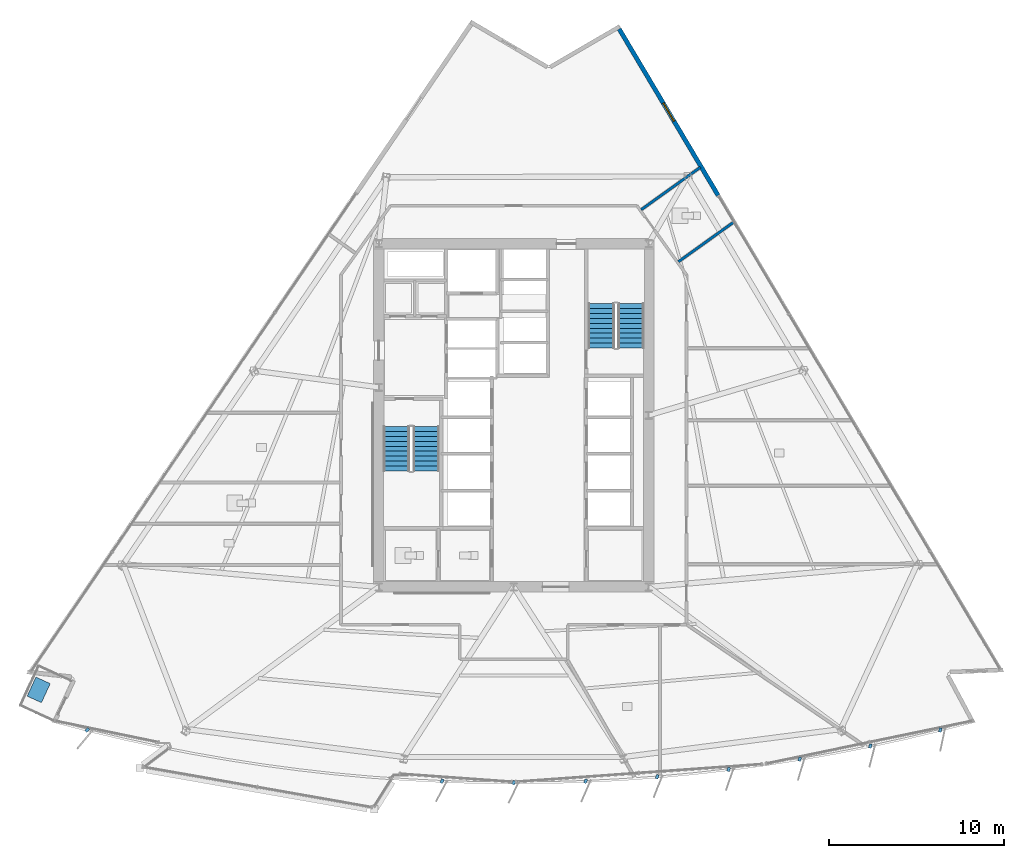
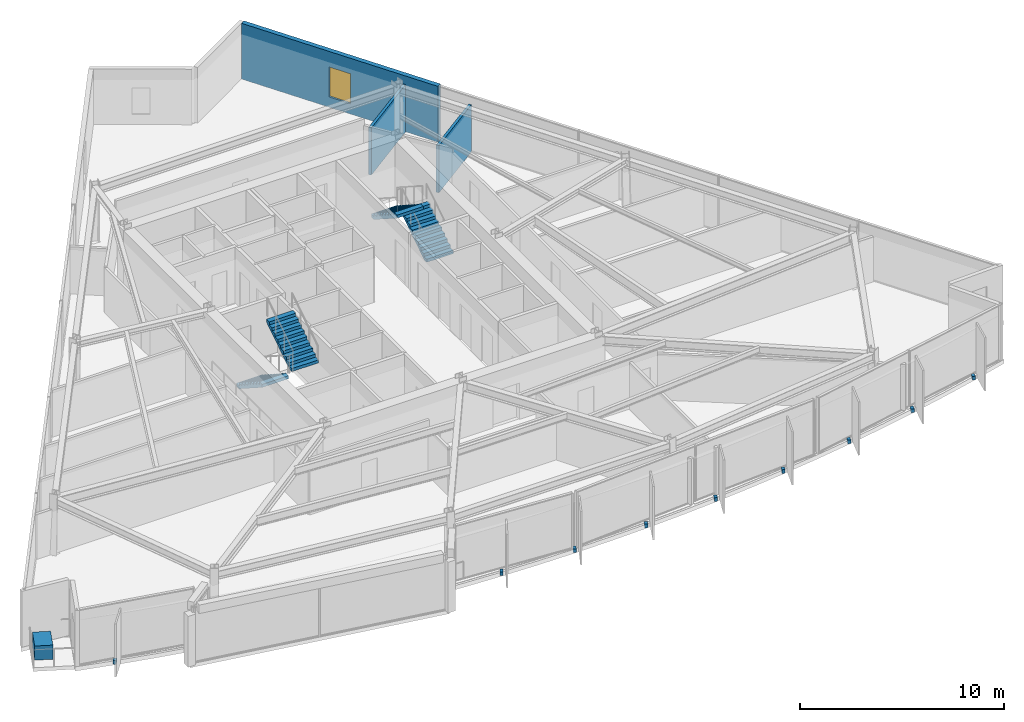
# One storey, part 10 of 15: 10 discrete accessories, 4 stair flights, 3 walls, 1 window, 1 opening, 2 elements without a shape of their own.
"""IFC4 building model written with IfcOpenShell, lengths in metres."""

from ifc_helpers import new_model, si_unit, direction, frame, frame_2d, origin, origin_2d, place, context, subcontext, project, spatial, polyline, rectangle, outline, extrude, material, layer, layer_set, type_object, element, fill, aggregate, save


model = new_model("IFC4")

# Units and contexts
model_context = context("Model", 3, precision=1e-05, world=origin(), true_north=direction((0.0, 1.0)))
body_context = subcontext(model_context, "Body", "Model", "MODEL_VIEW")
ifc_project = project(units=[si_unit("LENGTHUNIT", "METRE"), si_unit("AREAUNIT", "SQUARE_METRE"), si_unit("VOLUMEUNIT", "CUBIC_METRE"), si_unit("PLANEANGLEUNIT", "RADIAN"), si_unit("MASSUNIT", "GRAM", prefix="KILO")], contexts=[model_context])

# Site, building, storey
site_placement = place(None, origin())
site = spatial("IfcSite", under=ifc_project, at=site_placement, CompositionType="ELEMENT")
building_placement = place(site_placement, origin())
building = spatial("IfcBuilding", under=site, at=building_placement, Name="Savorim Split Tower", CompositionType="ELEMENT")
storey_placement = place(building_placement, frame((0.0, 0.0, 107.699951171875)))
storey = spatial("IfcBuildingStorey", under=building, at=storey_placement, Name="L28", CompositionType="ELEMENT", Elevation=107.699951171875)

# Wall, opening, window
ifc_material_1 = material(Name="Precast concrete C40/50", Category="concrete")
ifc_layer_1 = layer(ifc_material_1, 0.25)
ifc_layer_set_1 = layer_set([ifc_layer_1], Name="WAL-EXT-SPN250")
wall_type_1 = type_object("IfcWallType", Name="WAL-EXT-SPN250", PredefinedType="SOLIDWALL", material=ifc_layer_set_1)
wall_1_placement = place(storey_placement, frame((6.01708984375, 22.46240234375, 0.0), z_axis=(0.0, 0.0, 1.0), x_axis=(0.511085523564, -0.859529864288, 0.0)))
wall_1 = element("IfcWall", 1, at=wall_1_placement, inside=storey, type_object=wall_type_1, Name="L28 East Operable Window Pier", PredefinedType="SOLIDWALL", context=body_context, shape_type="SweptSolid", body=[
    extrude(rectangle(XDim=11.067626953125, YDim=0.25, at=frame_2d((5.53369140625, 0.0))), origin(), (0.0, 0.0, 1.0), 3.35009765625),
])
opening_placement = place(wall_1_placement, frame((4.933837890625, 0.0, 0.6201171875)))
opening = element("IfcOpeningElement", 2, at=opening_placement, cuts=wall_1, Name="Opening WN-08", PredefinedType="OPENING", context=body_context, shape_type="SweptSolid", body=[
    extrude(rectangle(XDim=1.199951171875, YDim=1.800048828125, at=frame_2d((0.60009765625, 0.89990234375))), frame((0.0, 0.135009765625, 0.0), z_axis=(0.0, -1.0, 0.0), x_axis=(1.0, 0.0, 0.0)), (0.0, 0.0, 1.0), 0.27001953125),
])
ifc_material_2 = material(Name="Low-E Operable Double Glazing", Category="glass")
window_type = type_object("IfcWindowType", Name="WIN-TWR-1200x1800", PartitioningType="SINGLE_PANEL", PredefinedType="WINDOW", material=ifc_material_2)
window_placement = place(opening_placement, origin())
window = element("IfcWindow", 3, at=window_placement, inside=storey, type_object=window_type, Name="L28 East Operable Ventilation Window", OverallHeight=1.800048828125, OverallWidth=1.199951171875, PartitioningType="SINGLE_PANEL", PredefinedType="WINDOW", context=body_context, shape_type="SweptSolid", body=[
    extrude(rectangle(XDim=1.199951171875, YDim=1.800048828125, at=frame_2d((0.60009765625, 0.89990234375))), frame((0.0, 0.030029296875, 0.0), z_axis=(0.0, -1.0, 0.0), x_axis=(1.0, 0.0, 0.0)), (0.0, 0.0, 1.0), 0.06005859375),
])
fill(opening, window)

# Walls
ifc_material_3 = material(Name="Acoustic Gypsum Partition Board")
ifc_layer_2 = layer(ifc_material_3, 0.14990234375)
ifc_layer_set_2 = layer_set([ifc_layer_2], Name="WAL-PAR-150")
wall_type_2 = type_object("IfcWallType", Name="WAL-PAR-150", PredefinedType="PARTITIONING", material=ifc_layer_set_2)
wall_2_placement = place(storey_placement, frame((7.27392578125, 12.137939453125, 0.0), z_axis=(0.0, 0.0, 1.0), x_axis=(0.81287638154, 0.582436252593, 0.0)))
element("IfcWall", 4, at=wall_2_placement, inside=storey, type_object=wall_type_2, Name="L28 Partition W-L28-PRAD07", PredefinedType="PARTITIONING", context=body_context, shape_type="SweptSolid", body=[
    extrude(rectangle(XDim=4.16162109375, YDim=0.14990234375, at=frame_2d((2.080810546875, 0.0))), origin(), (0.0, 0.0, 1.0), 2.8349609375),
])
wall_3_placement = place(storey_placement, frame((9.40087890625, 9.169189453125, 0.0), z_axis=(0.0, 0.0, 1.0), x_axis=(0.812892695259, 0.582413483699, 0.0)))
element("IfcWall", 5, at=wall_3_placement, inside=storey, type_object=wall_type_2, Name="L28 Partition W-L28-SUB08", PredefinedType="PARTITIONING", context=body_context, shape_type="SweptSolid", body=[
    extrude(rectangle(XDim=3.849365234375, YDim=0.14990234375, at=frame_2d((1.9248046875, 0.0))), origin(), (0.0, 0.0, 1.0), 2.8349609375),
])

# Stair, stair flights
ifc_material_4 = material(Name="Concrete C50/60", Category="concrete")
stair_type = type_object("IfcStairType", Name="STR-DOG-3600", PredefinedType="HALF_TURN_STAIR", material=ifc_material_4)
stair_1_placement = place(storey_placement, origin())
stair_1 = element("IfcStair", 6, at=stair_1_placement, inside=storey, type_object=stair_type, Name="L28 Core Protected Exit Stair ST-1", PredefinedType="HALF_TURN_STAIR")
stair_flight_type = type_object("IfcStairFlightType", Name="SFL-DOG-3600", PredefinedType="STRAIGHT", material=ifc_material_4)
stair_flight_1_placement = place(storey_placement, frame((-6.699951171875, -0.25, 0.0), z_axis=(0.0, 0.0, 1.0), x_axis=(0.0, -1.0, 0.0)))
stair_flight_1 = element("IfcStairFlight", 7, at=stair_flight_1_placement, type_object=stair_flight_type, Name="ST-1 flight 1", NumberOfRisers=10, NumberOfTreads=9, PredefinedType="STRAIGHT", RiserHeight=0.18, TreadLength=0.28, context=body_context, shape_type="SweptSolid", body=[
    extrude(outline(polyline([(0.0, 0.0), (0.0, 0.179931640625), (0.280029296875, 0.179931640625), (0.280029296875, 0.360107421875), (0.56005859375, 0.360107421875), (0.56005859375, 0.5400390625), (0.840087890625, 0.5400390625), (0.840087890625, 0.719970703125), (1.1201171875, 0.719970703125), (1.1201171875, 0.89990234375), (1.39990234375, 0.89990234375), (1.39990234375, 1.080078125), (1.679931640625, 1.080078125), (1.679931640625, 1.260009765625), (1.9599609375, 1.260009765625), (1.9599609375, 1.43994140625), (2.239990234375, 1.43994140625), (2.239990234375, 1.6201171875), (2.52001953125, 1.6201171875), (2.52001953125, 1.800048828125), (2.52001953125, 1.44189453125), (0.277099609375, 0.0), (0.0, 0.0)])), frame((0.0, 0.75, 0.0), z_axis=(0.0, -1.0, 0.0), x_axis=(1.0, 0.0, 0.0)), (0.0, 0.0, 1.0), 1.5),
])
stair_flight_2_placement = place(storey_placement, frame((-5.0, -2.77001953125, 1.800048828125), z_axis=(0.0, 0.0, 1.0), x_axis=(0.0, 1.0, 0.0)))
stair_flight_2 = element("IfcStairFlight", 8, at=stair_flight_2_placement, type_object=stair_flight_type, Name="ST-1 flight 2", NumberOfRisers=10, NumberOfTreads=9, PredefinedType="STRAIGHT", RiserHeight=0.18, TreadLength=0.28, context=body_context, shape_type="SweptSolid", body=[
    extrude(outline(polyline([(0.0, 0.0), (0.0, 0.179931640625), (0.280029296875, 0.179931640625), (0.280029296875, 0.360107421875), (0.56005859375, 0.360107421875), (0.56005859375, 0.5400390625), (0.840087890625, 0.5400390625), (0.840087890625, 0.719970703125), (1.1201171875, 0.719970703125), (1.1201171875, 0.89990234375), (1.39990234375, 0.89990234375), (1.39990234375, 1.080078125), (1.679931640625, 1.080078125), (1.679931640625, 1.260009765625), (1.9599609375, 1.260009765625), (1.9599609375, 1.43994140625), (2.239990234375, 1.43994140625), (2.239990234375, 1.6201171875), (2.52001953125, 1.6201171875), (2.52001953125, 1.800048828125), (2.52001953125, 1.44189453125), (0.277099609375, 0.0), (0.0, 0.0)])), frame((0.0, 0.75, 0.0), z_axis=(0.0, -1.0, 0.0), x_axis=(1.0, 0.0, 0.0)), (0.0, 0.0, 1.0), 1.5),
])
aggregate(stair_1, [stair_flight_1, stair_flight_2])

stair_2_placement = place(storey_placement, origin())
stair_2 = element("IfcStair", 9, at=stair_2_placement, inside=storey, type_object=stair_type, Name="L28 Core Protected Exit Stair ST-2", PredefinedType="HALF_TURN_STAIR")
stair_flight_3_placement = place(storey_placement, frame((6.699951171875, 4.25, 0.0), z_axis=(0.0, 0.0, 1.0), x_axis=(0.0, 1.0, 0.0)))
stair_flight_3 = element("IfcStairFlight", 10, at=stair_flight_3_placement, type_object=stair_flight_type, Name="ST-2 flight 1", NumberOfRisers=10, NumberOfTreads=9, PredefinedType="STRAIGHT", RiserHeight=0.18, TreadLength=0.28, context=body_context, shape_type="SweptSolid", body=[
    extrude(outline(polyline([(0.0, 0.0), (0.0, 0.179931640625), (0.280029296875, 0.179931640625), (0.280029296875, 0.360107421875), (0.56005859375, 0.360107421875), (0.56005859375, 0.5400390625), (0.840087890625, 0.5400390625), (0.840087890625, 0.719970703125), (1.1201171875, 0.719970703125), (1.1201171875, 0.89990234375), (1.39990234375, 0.89990234375), (1.39990234375, 1.080078125), (1.679931640625, 1.080078125), (1.679931640625, 1.260009765625), (1.9599609375, 1.260009765625), (1.9599609375, 1.43994140625), (2.239990234375, 1.43994140625), (2.239990234375, 1.6201171875), (2.52001953125, 1.6201171875), (2.52001953125, 1.800048828125), (2.52001953125, 1.44189453125), (0.277099609375, 0.0), (0.0, 0.0)])), frame((0.0, 0.75, 0.0), z_axis=(0.0, -1.0, 0.0), x_axis=(1.0, 0.0, 0.0)), (0.0, 0.0, 1.0), 1.5),
])
stair_flight_4_placement = place(storey_placement, frame((5.0, 6.77001953125, 1.800048828125), z_axis=(0.0, 0.0, 1.0), x_axis=(0.0, -1.0, 0.0)))
stair_flight_4 = element("IfcStairFlight", 11, at=stair_flight_4_placement, type_object=stair_flight_type, Name="ST-2 flight 2", NumberOfRisers=10, NumberOfTreads=9, PredefinedType="STRAIGHT", RiserHeight=0.18, TreadLength=0.28, context=body_context, shape_type="SweptSolid", body=[
    extrude(outline(polyline([(0.0, 0.0), (0.0, 0.179931640625), (0.280029296875, 0.179931640625), (0.280029296875, 0.360107421875), (0.56005859375, 0.360107421875), (0.56005859375, 0.5400390625), (0.840087890625, 0.5400390625), (0.840087890625, 0.719970703125), (1.1201171875, 0.719970703125), (1.1201171875, 0.89990234375), (1.39990234375, 0.89990234375), (1.39990234375, 1.080078125), (1.679931640625, 1.080078125), (1.679931640625, 1.260009765625), (1.9599609375, 1.260009765625), (1.9599609375, 1.43994140625), (2.239990234375, 1.43994140625), (2.239990234375, 1.6201171875), (2.52001953125, 1.6201171875), (2.52001953125, 1.800048828125), (2.52001953125, 1.44189453125), (0.277099609375, 0.0), (0.0, 0.0)])), frame((0.0, 0.75, 0.0), z_axis=(0.0, -1.0, 0.0), x_axis=(1.0, 0.0, 0.0)), (0.0, 0.0, 1.0), 1.5),
])
aggregate(stair_2, [stair_flight_3, stair_flight_4])

# Discrete accessories
ifc_material_5 = material(Name="Steel S355", Category="steel")
discrete_accessory_type_1 = type_object("IfcDiscreteAccessoryType", Name="ACC-BRK-FIN", PredefinedType="BRACKET", material=ifc_material_5)
for number, where, z_axis, x_axis, name in (
    (12, (-24.35107421875, -17.566162109375, -0.18994140625), (0.0, 0.0, 1.0), (-0.643719022682, -0.765261928909, 0.0), "L28 Fin Slab-Edge Cleat Bracket 01"),
    (13, (-4.098388671875, -20.4873046875, -0.18994140625), (0.0, 0.0, 1.0), (-0.474778051978, -0.880105562623, 0.0), "L28 Fin Slab-Edge Cleat Bracket 06"),
    (14, (0.0, -20.5712890625, -0.18994140625), (0.0, 0.0, 1.0), (-0.438371146789, -0.898794046299, 0.0), "L28 Fin Slab-Edge Cleat Bracket 07"),
    (15, (4.098388671875, -20.4873046875, -0.18994140625), (0.0, 0.0, 1.0), (-0.401230091723, -0.915977299662, 0.0), "L28 Fin Slab-Edge Cleat Bracket 08"),
    (16, (8.18994140625, -20.23583984375, -0.18994140625), (0.0, 0.0, 1.0), (-0.363415461732, -0.931627179817, 0.0), "L28 Fin Slab-Edge Cleat Bracket 09"),
    (17, (12.267822265625, -19.817138671875, -0.18994140625), (0.0, 0.0, 1.0), (-0.324993810493, -0.945716143005, 0.0), "L28 Fin Slab-Edge Cleat Bracket 10"),
    (18, (16.3251953125, -19.23193359375, -0.18994140625), (0.0, 0.0, 1.0), (-0.286026212504, -0.958221793616, 0.0), "L28 Fin Slab-Edge Cleat Bracket 11"),
    (19, (20.355224609375, -18.481201171875, -0.18994140625), (0.0, 0.0, 1.0), (-0.246581250663, -0.969122121727, 0.0), "L28 Fin Slab-Edge Cleat Bracket 12"),
    (20, (24.35107421875, -17.566162109375, -0.18994140625), (0.0, 0.0, 1.0), (-0.206721626106, -0.978399800337, 0.0), "L28 Fin Slab-Edge Cleat Bracket 13"),
):
    element("IfcDiscreteAccessory", number, at=place(storey_placement, frame(where, z_axis=z_axis, x_axis=x_axis)), inside=storey, type_object=discrete_accessory_type_1, Name=name, PredefinedType="BRACKET", context=body_context, shape_type="SweptSolid", body=[
        extrude(rectangle(XDim=0.239990234375, YDim=0.159912109375, at=origin_2d()), origin(), (0.0, 0.0, 1.0), 0.219970703125),
    ])
ifc_material_6 = material(Name="Architectural Precast Planter Concrete C40/50", Category="concrete")
discrete_accessory_type_2 = type_object("IfcDiscreteAccessoryType", Name="ACC-PLN-TREE", PredefinedType="USERDEFINED", material=ifc_material_6)
discrete_accessory_placement = place(storey_placement, frame((-27.123046875, -15.27490234375, 0.0), z_axis=(0.0, 0.0, 1.0), x_axis=(-0.417507099396, -0.908673660867, 0.0)))
element("IfcDiscreteAccessory", 21, at=discrete_accessory_placement, inside=storey, type_object=discrete_accessory_type_2, Name="L28 Balcony Precast Tree Planter SW", ObjectType="PLANTER", PredefinedType="USERDEFINED", context=body_context, shape_type="SweptSolid", body=[
    extrude(rectangle(XDim=1.199951171875, YDim=0.89990234375, at=origin_2d()), origin(), (0.0, 0.0, 1.0), 0.85009765625),
])

save(model, "model.ifc")
